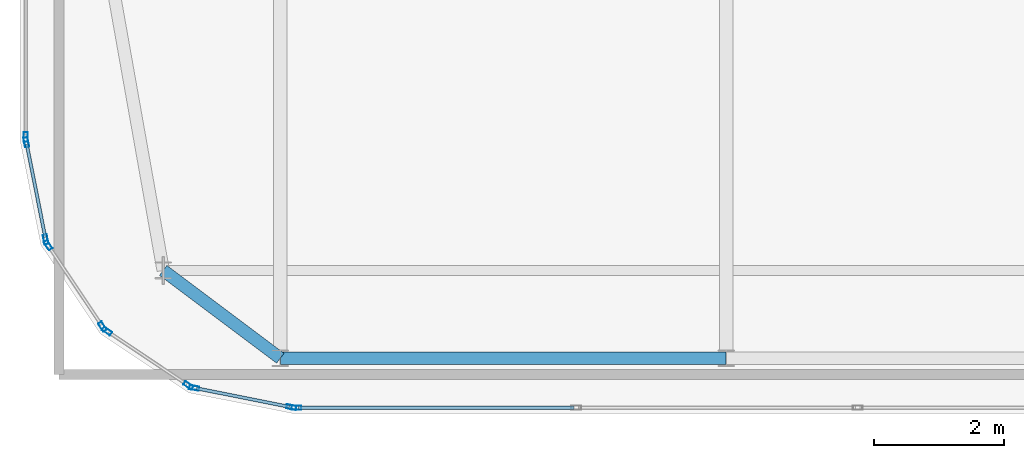
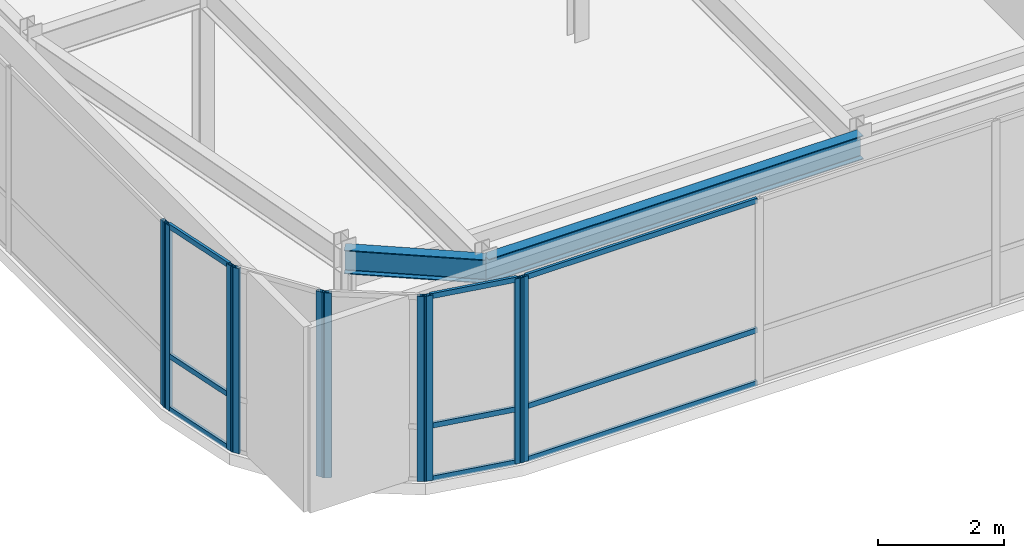
# One storey, part 5 of 36: 19 members, 2 beams, 6 elements without a shape of their own.
"""IFC4 building model written with IfcOpenShell, lengths in metres."""

from ifc_helpers import new_model, si_unit, direction, frame, origin, origin_2d, place, context, subcontext, project, spatial, hollow_rectangle, i_section, extrude, source, transform, mapped, material, layer, layer_set, material_profile, profile_set, type_object, type_shapes, element, aggregate, save


model = new_model("IFC4")

# Units and contexts
model_context = context("Model", 3, precision=1e-05, world=origin(), true_north=direction((0.0, 1.0)))
body_context = subcontext(model_context, "Body", "Model", "MODEL_VIEW")
ifc_project = project(units=[si_unit("LENGTHUNIT", "METRE"), si_unit("AREAUNIT", "SQUARE_METRE"), si_unit("VOLUMEUNIT", "CUBIC_METRE"), si_unit("PLANEANGLEUNIT", "RADIAN"), si_unit("MASSUNIT", "GRAM", prefix="KILO")], contexts=[model_context])

# Site, building, storey
site_placement = place(None, origin())
site = spatial("IfcSite", under=ifc_project, at=site_placement, CompositionType="ELEMENT")
building_placement = place(site_placement, origin())
building = spatial("IfcBuilding", under=site, at=building_placement, Name="Tolvann Quenvar Hotel", CompositionType="ELEMENT")
storey_placement = place(building_placement, frame((0.0, 0.0, 294.75)))
storey = spatial("IfcBuildingStorey", under=building, at=storey_placement, Name="L78", CompositionType="ELEMENT", Elevation=294.75)

# Beams
ifc_material_1 = material(Name="Steel Grade 350", Category="steel")
ifc_material_profile_1 = material_profile(ifc_material_1, i_section(OverallWidth=0.19091796875, OverallDepth=0.4599609375, WebThickness=0.010009765625, FlangeThickness=0.01611328125, FilletRadius=0.011474609375, at=origin_2d()), Name="460UB82")
ifc_profile_set_1 = profile_set([ifc_material_profile_1], Name="Steel Grade 350")
beam_type = type_object("IfcBeamType", Name="BM_SPAND_460UB82", PredefinedType="SPANDREL", material=ifc_profile_set_1)
shared_shape_1 = source(origin(), body_context, "Body", "SweptSolid", [
    extrude(i_section(OverallWidth=0.19091796875, OverallDepth=0.4599609375, WebThickness=0.010009765625, FlangeThickness=0.01611328125, FilletRadius=0.011474609375, at=origin_2d()), origin(), (0.0, 0.0, 1.0), 6.849853515625),
])
beam_1_placement = place(storey_placement, frame((7.60009765625, 7.050048828125, 3.35009765625), z_axis=(1.0, 0.0, 0.0), x_axis=(0.0, 1.0, 0.0)))
element("IfcBeam", 1, at=beam_1_placement, inside=storey, type_object=beam_type, Name="BM-L78-EW-2-C2-D2", PredefinedType="SPANDREL", context=body_context, shape_type="MappedRepresentation", body=[
    mapped(shared_shape_1, transform((0.0, 0.0, 0.0), x_axis=(1.0, 0.0, 0.0), y_axis=(0.0, 1.0, 0.0), z_axis=(0.0, 0.0, 1.0), scale=1.0)),
])
shared_shape_2 = source(origin(), body_context, "Body", "SweptSolid", [
    extrude(i_section(OverallWidth=0.19091796875, OverallDepth=0.4599609375, WebThickness=0.010009765625, FlangeThickness=0.01611328125, FilletRadius=0.011474609375, at=origin_2d()), origin(), (0.0, 0.0, 1.0), 2.25),
])
type_shapes(beam_type, [shared_shape_1, shared_shape_2])
beam_2_placement = place(storey_placement, frame((5.800048828125, 8.39990234375, 3.35009765625), z_axis=(0.800039061652, -0.599947914265, 0.0), x_axis=(0.599947914265, 0.800039061652, 0.0)))
element("IfcBeam", 2, at=beam_2_placement, inside=storey, type_object=beam_type, Name="BM-L78-EW-2-B2-C2", PredefinedType="SPANDREL", context=body_context, shape_type="MappedRepresentation", body=[
    mapped(shared_shape_2, transform((0.0, 0.0, 0.0), x_axis=(1.0, 0.0, 0.0), y_axis=(0.0, 1.0, 0.0), z_axis=(0.0, 0.0, 1.0), scale=1.0)),
])

# Curtain wall, members
ifc_material_2 = material(Name="Thermally broken anodised architectural aluminium 6063-T6 and laminated low-E glass", Category="aluminium")
ifc_layer = layer(ifc_material_2, 0.179931640625)
ifc_layer_set = layer_set([ifc_layer], Name="Thermally broken anodised architectural aluminium 6063-T6 and laminated low-E glass")
curtain_wall_type = type_object("IfcCurtainWallType", Name="CW_SYS_LANT_06", PredefinedType="USERDEFINED", material=ifc_layer_set)
curtain_wall_1_placement = place(storey_placement, origin())
curtain_wall_1 = element("IfcCurtainWall", 3, at=curtain_wall_1_placement, inside=storey, type_object=curtain_wall_type, Name="Curtain Wall CW-LANT-06 (CWR-L78-E01)", ObjectType="UNITISED CURTAIN WALL", PredefinedType="USERDEFINED")
ifc_material_3 = material(Name="Anodised architectural aluminium 6063-T6 framing", Category="aluminium")
ifc_material_profile_2 = material_profile(ifc_material_3, hollow_rectangle(XDim=0.06494140625, YDim=0.14990234375, WallThickness=0.00390625, at=origin_2d()), Name="150x65x4RHS")
ifc_profile_set_2 = profile_set([ifc_material_profile_2], Name="Anodised architectural aluminium 6063-T6 framing")
member_type_1 = type_object("IfcMemberType", Name="CW_MULL_150x65", PredefinedType="MULLION", material=ifc_profile_set_2)
shared_shape_3 = source(origin(), body_context, "Body", "SweptSolid", [
    extrude(hollow_rectangle(XDim=0.06494140625, YDim=0.14990234375, WallThickness=0.00390625, at=origin_2d()), origin(), (0.0, 0.0, 1.0), 3.580078125),
])
type_shapes(member_type_1, [shared_shape_3])
member_1_placement = place(storey_placement, frame((4.03173828125, 8.786865234375, 0.0), z_axis=(0.0, 0.0, 1.0), x_axis=(0.831412452193, 0.555655769644, 0.0)))
member_1 = element("IfcMember", 4, at=member_1_placement, type_object=member_type_1, Name="CW-LANT-06 mullion 1", PredefinedType="MULLION", context=body_context, shape_type="MappedRepresentation", body=[
    mapped(shared_shape_3, transform((0.0, 0.0, 0.0), x_axis=(1.0, 0.0, 0.0), y_axis=(0.0, 1.0, 0.0), z_axis=(0.0, 0.0, 1.0), scale=1.0)),
])
member_2_placement = place(storey_placement, frame((4.86767578125, 7.5361328125, 0.0), z_axis=(0.0, 0.0, 1.0), x_axis=(0.831412452193, 0.555655769644, 0.0)))
member_2 = element("IfcMember", 5, at=member_2_placement, type_object=member_type_1, Name="CW-LANT-06 mullion 2", PredefinedType="MULLION", context=body_context, shape_type="MappedRepresentation", body=[
    mapped(shared_shape_3, transform((0.0, 0.0, 0.0), x_axis=(1.0, 0.0, 0.0), y_axis=(0.0, 1.0, 0.0), z_axis=(0.0, 0.0, 1.0), scale=1.0)),
])
aggregate(curtain_wall_1, [member_1, member_2])

curtain_wall_2_placement = place(storey_placement, origin())
curtain_wall_2 = element("IfcCurtainWall", 6, at=curtain_wall_2_placement, inside=storey, type_object=curtain_wall_type, Name="Curtain Wall CW-LANT-06 (CWR-L78-E02)", ObjectType="UNITISED CURTAIN WALL", PredefinedType="USERDEFINED")
member_3_placement = place(storey_placement, frame((4.936279296875, 7.467529296875, 0.0), z_axis=(0.0, 0.0, 1.0), x_axis=(0.555655769644, 0.831412452193, 0.0)))
member_3 = element("IfcMember", 7, at=member_3_placement, type_object=member_type_1, Name="CW-LANT-06 mullion 1", PredefinedType="MULLION", context=body_context, shape_type="MappedRepresentation", body=[
    mapped(shared_shape_3, transform((0.0, 0.0, 0.0), x_axis=(1.0, 0.0, 0.0), y_axis=(0.0, 1.0, 0.0), z_axis=(0.0, 0.0, 1.0), scale=1.0)),
])
member_4_placement = place(storey_placement, frame((6.186767578125, 6.6318359375, 0.0), z_axis=(0.0, 0.0, 1.0), x_axis=(0.555655769644, 0.831412452193, 0.0)))
member_4 = element("IfcMember", 8, at=member_4_placement, type_object=member_type_1, Name="CW-LANT-06 mullion 2", PredefinedType="MULLION", context=body_context, shape_type="MappedRepresentation", body=[
    mapped(shared_shape_3, transform((0.0, 0.0, 0.0), x_axis=(1.0, 0.0, 0.0), y_axis=(0.0, 1.0, 0.0), z_axis=(0.0, 0.0, 1.0), scale=1.0)),
])
aggregate(curtain_wall_2, [member_3, member_4])

curtain_wall_3_placement = place(storey_placement, origin())
curtain_wall_3 = element("IfcCurtainWall", 9, at=curtain_wall_3_placement, inside=storey, type_object=curtain_wall_type, Name="Curtain Wall CW-LANT-06 (CWR-L78-E03)", ObjectType="UNITISED CURTAIN WALL", PredefinedType="USERDEFINED")
member_5_placement = place(storey_placement, frame((6.2763671875, 6.5947265625, 0.0), z_axis=(0.0, 0.0, 1.0), x_axis=(0.195061569369, 0.980790999222, 0.0)))
member_5 = element("IfcMember", 10, at=member_5_placement, type_object=member_type_1, Name="CW-LANT-06 mullion 1", PredefinedType="MULLION", context=body_context, shape_type="MappedRepresentation", body=[
    mapped(shared_shape_3, transform((0.0, 0.0, 0.0), x_axis=(1.0, 0.0, 0.0), y_axis=(0.0, 1.0, 0.0), z_axis=(0.0, 0.0, 1.0), scale=1.0)),
])
member_6_placement = place(storey_placement, frame((7.768798828125, 6.2978515625, 0.0), z_axis=(0.0, 0.0, 1.0), x_axis=(0.195061569369, 0.980790999222, 0.0)))
member_6 = element("IfcMember", 11, at=member_6_placement, type_object=member_type_1, Name="CW-LANT-06 mullion 2", PredefinedType="MULLION", context=body_context, shape_type="MappedRepresentation", body=[
    mapped(shared_shape_3, transform((0.0, 0.0, 0.0), x_axis=(1.0, 0.0, 0.0), y_axis=(0.0, 1.0, 0.0), z_axis=(0.0, 0.0, 1.0), scale=1.0)),
])

# Curtain wall, member
curtain_wall_4_placement = place(storey_placement, origin())
curtain_wall_4 = element("IfcCurtainWall", 12, at=curtain_wall_4_placement, inside=storey, type_object=curtain_wall_type, Name="Curtain Wall CW-LANT-06 (CWR-L78-E04)", ObjectType="UNITISED CURTAIN WALL", PredefinedType="USERDEFINED")
member_7_placement = place(storey_placement, frame((7.849609375, 6.2900390625, 0.0), z_axis=(0.0, 0.0, 1.0), x_axis=(0.0, 1.0, 0.0)))
member_7 = element("IfcMember", 13, at=member_7_placement, type_object=member_type_1, Name="CW-LANT-06 mullion 1", PredefinedType="MULLION", context=body_context, shape_type="MappedRepresentation", body=[
    mapped(shared_shape_3, transform((0.0, 0.0, 0.0), x_axis=(1.0, 0.0, 0.0), y_axis=(0.0, 1.0, 0.0), z_axis=(0.0, 0.0, 1.0), scale=1.0)),
])

curtain_wall_5_placement = place(storey_placement, origin())
curtain_wall_5 = element("IfcCurtainWall", 14, at=curtain_wall_5_placement, inside=storey, type_object=curtain_wall_type, Name="Curtain Wall CW-LANT-06 (CWR-L78-E19)", ObjectType="UNITISED CURTAIN WALL", PredefinedType="USERDEFINED")
member_8_placement = place(storey_placement, frame((3.68994140625, 10.44970703125, 0.0), z_axis=(0.0, 0.0, 1.0), x_axis=(1.0, 0.0, 0.0)))
member_8 = element("IfcMember", 15, at=member_8_placement, type_object=member_type_1, Name="CW-LANT-06 mullion 7", PredefinedType="MULLION", context=body_context, shape_type="MappedRepresentation", body=[
    mapped(shared_shape_3, transform((0.0, 0.0, 0.0), x_axis=(1.0, 0.0, 0.0), y_axis=(0.0, 1.0, 0.0), z_axis=(0.0, 0.0, 1.0), scale=1.0)),
])
aggregate(curtain_wall_5, [member_8])

# Curtain wall, members
curtain_wall_6_placement = place(storey_placement, origin())
curtain_wall_6 = element("IfcCurtainWall", 16, at=curtain_wall_6_placement, inside=storey, type_object=curtain_wall_type, Name="Curtain Wall CW-LANT-06 (CWR-L78-E20)", ObjectType="UNITISED CURTAIN WALL", PredefinedType="USERDEFINED")
member_9_placement = place(storey_placement, frame((3.697998046875, 10.36865234375, 0.0), z_axis=(0.0, 0.0, 1.0), x_axis=(0.980790999222, 0.195061569369, 0.0)))
member_9 = element("IfcMember", 17, at=member_9_placement, type_object=member_type_1, Name="CW-LANT-06 mullion 1", PredefinedType="MULLION", context=body_context, shape_type="MappedRepresentation", body=[
    mapped(shared_shape_3, transform((0.0, 0.0, 0.0), x_axis=(1.0, 0.0, 0.0), y_axis=(0.0, 1.0, 0.0), z_axis=(0.0, 0.0, 1.0), scale=1.0)),
])
member_10_placement = place(storey_placement, frame((3.994873046875, 8.876220703125, 0.0), z_axis=(0.0, 0.0, 1.0), x_axis=(0.980790999222, 0.195061569369, 0.0)))
member_10 = element("IfcMember", 18, at=member_10_placement, type_object=member_type_1, Name="CW-LANT-06 mullion 2", PredefinedType="MULLION", context=body_context, shape_type="MappedRepresentation", body=[
    mapped(shared_shape_3, transform((0.0, 0.0, 0.0), x_axis=(1.0, 0.0, 0.0), y_axis=(0.0, 1.0, 0.0), z_axis=(0.0, 0.0, 1.0), scale=1.0)),
])

# Member
ifc_material_profile_3 = material_profile(ifc_material_3, hollow_rectangle(XDim=0.050048828125, YDim=0.10009765625, WallThickness=0.0029296875, at=origin_2d()), Name="100x50x3RHS")
ifc_profile_set_3 = profile_set([ifc_material_profile_3], Name="Anodised architectural aluminium 6063-T6 framing")
member_type_2 = type_object("IfcMemberType", Name="CW_TRAN_100x50", PredefinedType="USERDEFINED", material=ifc_profile_set_3)
shared_shape_4 = source(origin(), body_context, "Body", "SweptSolid", [
    extrude(hollow_rectangle(XDim=0.050048828125, YDim=0.10009765625, WallThickness=0.0029296875, at=origin_2d()), origin(), (0.0, 0.0, 1.0), 1.456787109375),
])
member_11_placement = place(storey_placement, frame((6.30810546875, 6.58837890625, 0.02490234375), z_axis=(0.980786408364, -0.195084651288, 0.0), x_axis=(0.195084651288, 0.980786408364, 0.0)))
member_11 = element("IfcMember", 19, at=member_11_placement, type_object=member_type_2, Name="CW-LANT-06 transom 1.1", ObjectType="TRANSOM", PredefinedType="USERDEFINED", context=body_context, shape_type="MappedRepresentation", body=[
    mapped(shared_shape_4, transform((0.0, 0.0, 0.0), x_axis=(1.0, 0.0, 0.0), y_axis=(0.0, 1.0, 0.0), z_axis=(0.0, 0.0, 1.0), scale=1.0)),
])

member_12_placement = place(storey_placement, frame((6.30810546875, 6.58837890625, 1.050048828125), z_axis=(0.980786408364, -0.195084651288, 0.0), x_axis=(0.195084651288, 0.980786408364, 0.0)))
member_12 = element("IfcMember", 20, at=member_12_placement, type_object=member_type_2, Name="CW-LANT-06 transom 1.2", ObjectType="TRANSOM", PredefinedType="USERDEFINED", context=body_context, shape_type="MappedRepresentation", body=[
    mapped(shared_shape_4, transform((0.0, 0.0, 0.0), x_axis=(1.0, 0.0, 0.0), y_axis=(0.0, 1.0, 0.0), z_axis=(0.0, 0.0, 1.0), scale=1.0)),
])

member_13_placement = place(storey_placement, frame((6.30810546875, 6.58837890625, 3.554931640625), z_axis=(0.980786408364, -0.195084651288, 0.0), x_axis=(0.195084651288, 0.980786408364, 0.0)))
member_13 = element("IfcMember", 21, at=member_13_placement, type_object=member_type_2, Name="CW-LANT-06 transom 1.3", ObjectType="TRANSOM", PredefinedType="USERDEFINED", context=body_context, shape_type="MappedRepresentation", body=[
    mapped(shared_shape_4, transform((0.0, 0.0, 0.0), x_axis=(1.0, 0.0, 0.0), y_axis=(0.0, 1.0, 0.0), z_axis=(0.0, 0.0, 1.0), scale=1.0)),
])

aggregate(curtain_wall_3, [member_5, member_6, member_11, member_12, member_13])

member_14_placement = place(storey_placement, frame((3.704345703125, 10.3369140625, 0.02490234375), z_axis=(0.195084651288, -0.980786408364, 0.0), x_axis=(0.980786408364, 0.195084651288, 0.0)))
member_14 = element("IfcMember", 22, at=member_14_placement, type_object=member_type_2, Name="CW-LANT-06 transom 1.1", ObjectType="TRANSOM", PredefinedType="USERDEFINED", context=body_context, shape_type="MappedRepresentation", body=[
    mapped(shared_shape_4, transform((0.0, 0.0, 0.0), x_axis=(1.0, 0.0, 0.0), y_axis=(0.0, 1.0, 0.0), z_axis=(0.0, 0.0, 1.0), scale=1.0)),
])

member_15_placement = place(storey_placement, frame((3.704345703125, 10.3369140625, 1.050048828125), z_axis=(0.195084651288, -0.980786408364, 0.0), x_axis=(0.980786408364, 0.195084651288, 0.0)))
member_15 = element("IfcMember", 23, at=member_15_placement, type_object=member_type_2, Name="CW-LANT-06 transom 1.2", ObjectType="TRANSOM", PredefinedType="USERDEFINED", context=body_context, shape_type="MappedRepresentation", body=[
    mapped(shared_shape_4, transform((0.0, 0.0, 0.0), x_axis=(1.0, 0.0, 0.0), y_axis=(0.0, 1.0, 0.0), z_axis=(0.0, 0.0, 1.0), scale=1.0)),
])

member_16_placement = place(storey_placement, frame((3.704345703125, 10.3369140625, 3.554931640625), z_axis=(0.195084651288, -0.980786408364, 0.0), x_axis=(0.980786408364, 0.195084651288, 0.0)))
member_16 = element("IfcMember", 24, at=member_16_placement, type_object=member_type_2, Name="CW-LANT-06 transom 1.3", ObjectType="TRANSOM", PredefinedType="USERDEFINED", context=body_context, shape_type="MappedRepresentation", body=[
    mapped(shared_shape_4, transform((0.0, 0.0, 0.0), x_axis=(1.0, 0.0, 0.0), y_axis=(0.0, 1.0, 0.0), z_axis=(0.0, 0.0, 1.0), scale=1.0)),
])

aggregate(curtain_wall_6, [member_9, member_10, member_14, member_15, member_16])

shared_shape_5 = source(origin(), body_context, "Body", "SweptSolid", [
    extrude(hollow_rectangle(XDim=0.050048828125, YDim=0.10009765625, WallThickness=0.0029296875, at=origin_2d()), origin(), (0.0, 0.0, 1.0), 4.230224609375),
])
type_shapes(member_type_2, [shared_shape_4, shared_shape_5])
member_17_placement = place(storey_placement, frame((7.882080078125, 6.2900390625, 0.02490234375), z_axis=(1.0, 0.0, 0.0), x_axis=(0.0, 1.0, 0.0)))
member_17 = element("IfcMember", 25, at=member_17_placement, type_object=member_type_2, Name="CW-LANT-06 transom 1.1", ObjectType="TRANSOM", PredefinedType="USERDEFINED", context=body_context, shape_type="MappedRepresentation", body=[
    mapped(shared_shape_5, transform((0.0, 0.0, 0.0), x_axis=(1.0, 0.0, 0.0), y_axis=(0.0, 1.0, 0.0), z_axis=(0.0, 0.0, 1.0), scale=1.0)),
])

member_18_placement = place(storey_placement, frame((7.882080078125, 6.2900390625, 1.050048828125), z_axis=(1.0, 0.0, 0.0), x_axis=(0.0, 1.0, 0.0)))
member_18 = element("IfcMember", 26, at=member_18_placement, type_object=member_type_2, Name="CW-LANT-06 transom 1.2", ObjectType="TRANSOM", PredefinedType="USERDEFINED", context=body_context, shape_type="MappedRepresentation", body=[
    mapped(shared_shape_5, transform((0.0, 0.0, 0.0), x_axis=(1.0, 0.0, 0.0), y_axis=(0.0, 1.0, 0.0), z_axis=(0.0, 0.0, 1.0), scale=1.0)),
])

member_19_placement = place(storey_placement, frame((7.882080078125, 6.2900390625, 3.554931640625), z_axis=(1.0, 0.0, 0.0), x_axis=(0.0, 1.0, 0.0)))
member_19 = element("IfcMember", 27, at=member_19_placement, type_object=member_type_2, Name="CW-LANT-06 transom 1.3", ObjectType="TRANSOM", PredefinedType="USERDEFINED", context=body_context, shape_type="MappedRepresentation", body=[
    mapped(shared_shape_5, transform((0.0, 0.0, 0.0), x_axis=(1.0, 0.0, 0.0), y_axis=(0.0, 1.0, 0.0), z_axis=(0.0, 0.0, 1.0), scale=1.0)),
])

aggregate(curtain_wall_4, [member_7, member_17, member_18, member_19])

save(model, "model.ifc")
